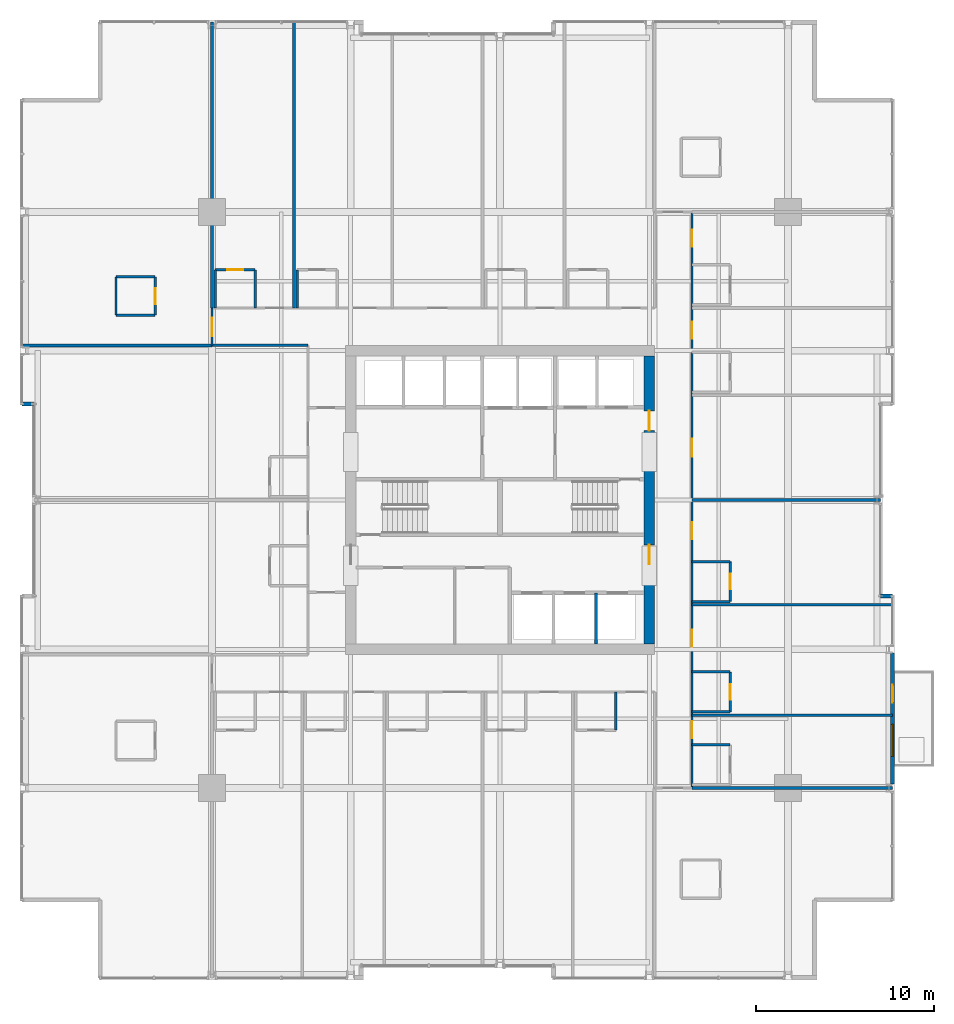
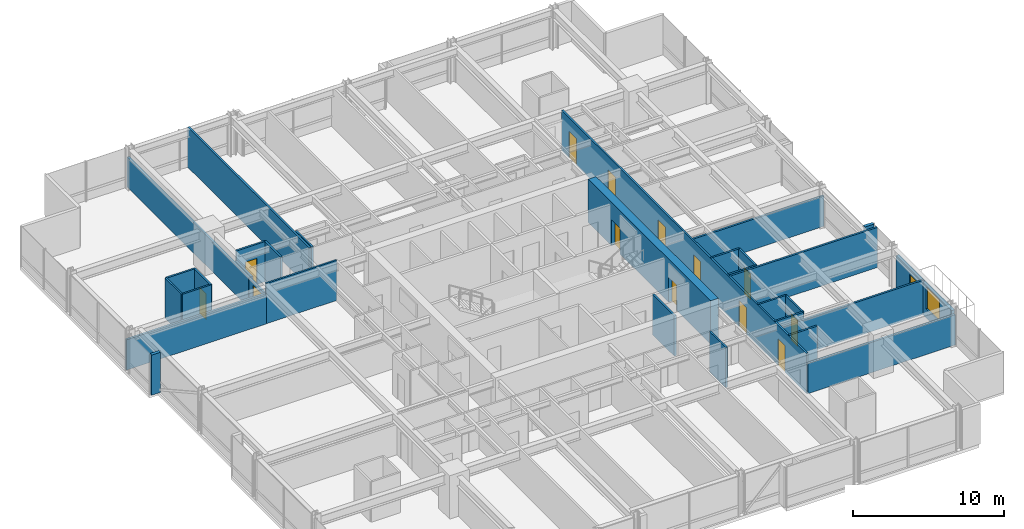
# One storey, part 30 of 35: 31 walls, 14 doors, 1 window, 15 openings.
"""IFC4 building model written with IfcOpenShell, lengths in metres."""

from ifc_helpers import new_model, si_unit, direction, frame, frame_2d, origin, place, context, subcontext, project, spatial, rectangle, extrude, material, layer, layer_set, type_object, element, fill, save


model = new_model("IFC4")

# Units and contexts
model_context = context("Model", 3, precision=1e-05, world=origin(), true_north=direction((0.0, 1.0)))
body_context = subcontext(model_context, "Body", "Model", "MODEL_VIEW")
ifc_project = project(units=[si_unit("LENGTHUNIT", "METRE"), si_unit("AREAUNIT", "SQUARE_METRE"), si_unit("VOLUMEUNIT", "CUBIC_METRE"), si_unit("PLANEANGLEUNIT", "RADIAN"), si_unit("MASSUNIT", "GRAM", prefix="KILO")], contexts=[model_context])

# Site, building, storey
site_placement = place(None, origin())
site = spatial("IfcSite", under=ifc_project, at=site_placement, CompositionType="ELEMENT")
building_placement = place(site_placement, origin())
building = spatial("IfcBuilding", under=site, at=building_placement, Name="Drelvath Grand Hotel", CompositionType="ELEMENT")
storey_placement = place(building_placement, frame((0.0, 0.0, 95.300048828125)))
storey = spatial("IfcBuildingStorey", under=building, at=storey_placement, Name="L23", CompositionType="ELEMENT", Elevation=95.300048828125)

# Walls
ifc_material_1 = material(Name="Gypsum Fireboard Partition")
ifc_layer_1 = layer(ifc_material_1, 0.1650390625)
ifc_layer_set_1 = layer_set([ifc_layer_1], Name="Gypsum Fireboard Partition")
wall_type_1 = type_object("IfcWallType", Name="Core Shaft Partition 165", PredefinedType="PARTITIONING", material=ifc_layer_set_1)
wall_1_placement = place(storey_placement, frame((5.39990234375, 18.89990234375, 0.0), z_axis=(0.0, 0.0, 1.0), x_axis=(0.0, 1.0, 0.0)))
element("IfcWall", 1, at=wall_1_placement, inside=storey, type_object=wall_type_1, Name="L23 Lift PE-5/6 Divider", PredefinedType="PARTITIONING", context=body_context, shape_type="SweptSolid", body=[
    extrude(rectangle(XDim=2.880126953125, YDim=0.1650390625, at=frame_2d((1.43994140625, 0.0))), origin(), (0.0, 0.0, 1.0), 3.239990234375),
])
ifc_layer_2 = layer(ifc_material_1, 0.135009765625)
ifc_layer_set_2 = layer_set([ifc_layer_2], Name="Gypsum Fireboard Partition")
wall_type_2 = type_object("IfcWallType", Name="Corridor Fire Barrier Wall 135", PredefinedType="PARTITIONING", material=ifc_layer_set_2)
wall_2_placement = place(storey_placement, frame((-16.199951171875, 35.699951171875, 0.0), z_axis=(0.0, 0.0, 1.0), x_axis=(1.0, 0.0, 0.0)))
element("IfcWall", 2, at=wall_2_placement, inside=storey, type_object=wall_type_2, Name="L23 NW Stub South Wall", PredefinedType="PARTITIONING", context=body_context, shape_type="SweptSolid", body=[
    extrude(rectangle(XDim=5.39990234375, YDim=0.135009765625, at=frame_2d((2.699951171875, 0.0))), origin(), (0.0, 0.0, 1.0), 3.239990234375),
])

# Wall, openings, doors
wall_3_placement = place(storey_placement, frame((10.800048828125, 10.800048828125, 0.0), z_axis=(0.0, 0.0, 1.0), x_axis=(0.0, 1.0, 0.0)))
wall_3 = element("IfcWall", 3, at=wall_3_placement, inside=storey, type_object=wall_type_2, Name="L23 East Spine Corridor Wall", PredefinedType="PARTITIONING", context=body_context, shape_type="SweptSolid", body=[
    extrude(rectangle(XDim=32.39990234375, YDim=0.135009765625, at=frame_2d((16.199951171875, 0.0))), origin(), (0.0, 0.0, 1.0), 3.239990234375),
])
opening_1_placement = place(wall_3_placement, frame((2.784912109375, 0.0, 0.0)))
opening_1 = element("IfcOpeningElement", 4, at=opening_1_placement, cuts=wall_3, Name="Opening D-T2G1-047", PredefinedType="OPENING", context=body_context, shape_type="SweptSolid", body=[
    extrude(rectangle(XDim=0.9599609375, YDim=2.14990234375, at=frame_2d((0.47998046875, 1.074951171875))), frame((0.0, 0.077392578125, 0.0), z_axis=(0.0, -1.0, 0.0), x_axis=(1.0, 0.0, 0.0)), (0.0, 0.0, 1.0), 0.155029296875),
])
opening_2_placement = place(wall_3_placement, frame((7.939453125, 0.0, 0.0)))
opening_2 = element("IfcOpeningElement", 5, at=opening_2_placement, cuts=wall_3, Name="Opening D-T2G1-049", PredefinedType="OPENING", context=body_context, shape_type="SweptSolid", body=[
    extrude(rectangle(XDim=0.9599609375, YDim=2.14990234375, at=frame_2d((0.47998046875, 1.074951171875))), frame((0.0, 0.077392578125, 0.0), z_axis=(0.0, -1.0, 0.0), x_axis=(1.0, 0.0, 0.0)), (0.0, 0.0, 1.0), 0.155029296875),
])
opening_3_placement = place(wall_3_placement, frame((13.989501953125, 0.0, 0.0)))
opening_3 = element("IfcOpeningElement", 6, at=opening_3_placement, cuts=wall_3, Name="Opening D-T2G1-051", PredefinedType="OPENING", context=body_context, shape_type="SweptSolid", body=[
    extrude(rectangle(XDim=0.9599609375, YDim=2.14990234375, at=frame_2d((0.47998046875, 1.074951171875))), frame((0.0, 0.077392578125, 0.0), z_axis=(0.0, -1.0, 0.0), x_axis=(1.0, 0.0, 0.0)), (0.0, 0.0, 1.0), 0.155029296875),
])
opening_4_placement = place(wall_3_placement, frame((18.635498046875, 0.0, 0.0)))
opening_4 = element("IfcOpeningElement", 7, at=opening_4_placement, cuts=wall_3, Name="Opening D-T2G1-052", PredefinedType="OPENING", context=body_context, shape_type="SweptSolid", body=[
    extrude(rectangle(XDim=1.02001953125, YDim=2.14990234375, at=frame_2d((0.510009765625, 1.074951171875))), frame((0.0, 0.077392578125, 0.0), z_axis=(0.0, -1.0, 0.0), x_axis=(1.0, 0.0, 0.0)), (0.0, 0.0, 1.0), 0.155029296875),
])
opening_5_placement = place(wall_3_placement, frame((25.280517578125, 0.0, 0.0)))
opening_5 = element("IfcOpeningElement", 8, at=opening_5_placement, cuts=wall_3, Name="Opening D-T2G1-054", PredefinedType="OPENING", context=body_context, shape_type="SweptSolid", body=[
    extrude(rectangle(XDim=0.9599609375, YDim=2.14990234375, at=frame_2d((0.47998046875, 1.074951171875))), frame((0.0, 0.077392578125, 0.0), z_axis=(0.0, -1.0, 0.0), x_axis=(1.0, 0.0, 0.0)), (0.0, 0.0, 1.0), 0.155029296875),
])
opening_6_placement = place(wall_3_placement, frame((30.43505859375, 0.0, 0.0)))
opening_6 = element("IfcOpeningElement", 9, at=opening_6_placement, cuts=wall_3, Name="Opening D-T2G1-056", PredefinedType="OPENING", context=body_context, shape_type="SweptSolid", body=[
    extrude(rectangle(XDim=0.9599609375, YDim=2.14990234375, at=frame_2d((0.47998046875, 1.074951171875))), frame((0.0, 0.077392578125, 0.0), z_axis=(0.0, -1.0, 0.0), x_axis=(1.0, 0.0, 0.0)), (0.0, 0.0, 1.0), 0.155029296875),
])
ifc_material_2 = material(Name="Hardwood Walnut Timber", Category="wood")
door_type_1 = type_object("IfcDoorType", Name="Amenity Meeting Fire Door 1020x2150", OperationType="NOTDEFINED", PredefinedType="DOOR", material=ifc_material_2)
door_1_placement = place(opening_4_placement, origin())
door_1 = element("IfcDoor", 10, at=door_1_placement, inside=storey, type_object=door_type_1, Name="L23 Executive Workroom Entry Door", OperationType="SINGLE_SWING_LEFT", OverallHeight=2.14990234375, OverallWidth=1.02001953125, PredefinedType="DOOR", context=body_context, shape_type="SweptSolid", body=[
    extrude(rectangle(XDim=1.02001953125, YDim=2.14990234375, at=frame_2d((0.510009765625, 1.074951171875))), frame((0.0, 0.02490234375, 0.0), z_axis=(0.0, -1.0, 0.0), x_axis=(1.0, 0.0, 0.0)), (0.0, 0.0, 1.0), 0.050048828125),
])
fill(opening_4, door_1)
door_type_2 = type_object("IfcDoorType", Name="Guestroom Entrance Fire Door 960x2150", OperationType="NOTDEFINED", PredefinedType="DOOR", material=ifc_material_2)
door_2_placement = place(opening_1_placement, origin())
door_2 = element("IfcDoor", 11, at=door_2_placement, inside=storey, type_object=door_type_2, Name="L23 Deluxe Guest Room Entry Door", OperationType="SINGLE_SWING_RIGHT", OverallHeight=2.14990234375, OverallWidth=0.9599609375, PredefinedType="DOOR", context=body_context, shape_type="SweptSolid", body=[
    extrude(rectangle(XDim=0.9599609375, YDim=2.14990234375, at=frame_2d((0.47998046875, 1.074951171875))), frame((0.0, 0.02490234375, 0.0), z_axis=(0.0, -1.0, 0.0), x_axis=(1.0, 0.0, 0.0)), (0.0, 0.0, 1.0), 0.050048828125),
])
fill(opening_1, door_2)
door_3_placement = place(opening_2_placement, origin())
door_3 = element("IfcDoor", 12, at=door_3_placement, inside=storey, type_object=door_type_2, Name="L23 Deluxe Guest Room Entry Door", OperationType="SINGLE_SWING_RIGHT", OverallHeight=2.14990234375, OverallWidth=0.9599609375, PredefinedType="DOOR", context=body_context, shape_type="SweptSolid", body=[
    extrude(rectangle(XDim=0.9599609375, YDim=2.14990234375, at=frame_2d((0.47998046875, 1.074951171875))), frame((0.0, 0.02490234375, 0.0), z_axis=(0.0, -1.0, 0.0), x_axis=(1.0, 0.0, 0.0)), (0.0, 0.0, 1.0), 0.050048828125),
])
fill(opening_2, door_3)
door_4_placement = place(opening_3_placement, origin())
door_4 = element("IfcDoor", 13, at=door_4_placement, inside=storey, type_object=door_type_2, Name="L23 Deluxe Guest Room Entry Door", OperationType="SINGLE_SWING_RIGHT", OverallHeight=2.14990234375, OverallWidth=0.9599609375, PredefinedType="DOOR", context=body_context, shape_type="SweptSolid", body=[
    extrude(rectangle(XDim=0.9599609375, YDim=2.14990234375, at=frame_2d((0.47998046875, 1.074951171875))), frame((0.0, 0.02490234375, 0.0), z_axis=(0.0, -1.0, 0.0), x_axis=(1.0, 0.0, 0.0)), (0.0, 0.0, 1.0), 0.050048828125),
])
fill(opening_3, door_4)
door_5_placement = place(opening_5_placement, origin())
door_5 = element("IfcDoor", 14, at=door_5_placement, inside=storey, type_object=door_type_2, Name="L23 Deluxe Guest Room Entry Door", OperationType="SINGLE_SWING_LEFT", OverallHeight=2.14990234375, OverallWidth=0.9599609375, PredefinedType="DOOR", context=body_context, shape_type="SweptSolid", body=[
    extrude(rectangle(XDim=0.9599609375, YDim=2.14990234375, at=frame_2d((0.47998046875, 1.074951171875))), frame((0.0, 0.02490234375, 0.0), z_axis=(0.0, -1.0, 0.0), x_axis=(1.0, 0.0, 0.0)), (0.0, 0.0, 1.0), 0.050048828125),
])
fill(opening_5, door_5)
door_6_placement = place(opening_6_placement, origin())
door_6 = element("IfcDoor", 15, at=door_6_placement, inside=storey, type_object=door_type_2, Name="L23 Deluxe Guest Room Entry Door", OperationType="SINGLE_SWING_LEFT", OverallHeight=2.14990234375, OverallWidth=0.9599609375, PredefinedType="DOOR", context=body_context, shape_type="SweptSolid", body=[
    extrude(rectangle(XDim=0.9599609375, YDim=2.14990234375, at=frame_2d((0.47998046875, 1.074951171875))), frame((0.0, 0.02490234375, 0.0), z_axis=(0.0, -1.0, 0.0), x_axis=(1.0, 0.0, 0.0)), (0.0, 0.0, 1.0), 0.050048828125),
])
fill(opening_6, door_6)

# Wall, opening, door
wall_4_placement = place(storey_placement, frame((-16.199951171875, 35.699951171875, 0.0), z_axis=(0.0, 0.0, 1.0), x_axis=(0.0, 1.0, 0.0)))
wall_4 = element("IfcWall", 16, at=wall_4_placement, inside=storey, type_object=wall_type_2, Name="L23 North Stub West End", PredefinedType="PARTITIONING", context=body_context, shape_type="SweptSolid", body=[
    extrude(rectangle(XDim=2.10009765625, YDim=0.135009765625, at=frame_2d((1.050048828125, 0.0))), origin(), (0.0, 0.0, 1.0), 2.45166015625),
])
opening_7_placement = place(wall_4_placement, frame((0.52001953125, 0.0, 0.0)))
opening_7 = element("IfcOpeningElement", 17, at=opening_7_placement, cuts=wall_4, Name="Opening D-T2G1-022", PredefinedType="OPENING", context=body_context, shape_type="SweptSolid", body=[
    extrude(rectangle(XDim=1.02001953125, YDim=2.14990234375, at=frame_2d((0.510009765625, 1.074951171875))), frame((0.0, 0.077392578125, 0.0), z_axis=(0.0, -1.0, 0.0), x_axis=(1.0, 0.0, 0.0)), (0.0, 0.0, 1.0), 0.155029296875),
])
door_7_placement = place(opening_7_placement, origin())
door_7 = element("IfcDoor", 18, at=door_7_placement, inside=storey, type_object=door_type_1, Name="L23 Corner Suite Entry Door", OperationType="SINGLE_SWING_LEFT", OverallHeight=2.14990234375, OverallWidth=1.02001953125, PredefinedType="DOOR", context=body_context, shape_type="SweptSolid", body=[
    extrude(rectangle(XDim=1.02001953125, YDim=2.14990234375, at=frame_2d((0.510009765625, 1.074951171875))), frame((0.0, 0.02490234375, 0.0), z_axis=(0.0, -1.0, 0.0), x_axis=(1.0, 0.0, 0.0)), (0.0, 0.0, 1.0), 0.050048828125),
])
fill(opening_7, door_7)

# Walls
ifc_material_3 = material(Name="Moisture-Resistant Gypsum Board")
ifc_layer_3 = layer(ifc_material_3, 0.139892578125)
ifc_layer_set_3 = layer_set([ifc_layer_3], Name="Moisture-Resistant Gypsum Board")
wall_type_3 = type_object("IfcWallType", Name="En-Suite Plumbing Wall 140", PredefinedType="PLUMBINGWALL", material=ifc_layer_set_3)
for number, where, z_axis, x_axis, name in (
    (19, (-21.60009765625, 37.39990234375, 0.0), (0.0, 0.0, 1.0), (1.0, 0.0, 0.0), "L23 Corner En-Suite South"),
    (20, (-21.60009765625, 39.550048828125, 0.0), (0.0, 0.0, 1.0), (1.0, 0.0, 0.0), "L23 Corner En-Suite North"),
):
    element("IfcWall", number, at=place(storey_placement, frame(where, z_axis=z_axis, x_axis=x_axis)), inside=storey, type_object=wall_type_3, Name=name, PredefinedType="PLUMBINGWALL", context=body_context, shape_type="SweptSolid", body=[
        extrude(rectangle(XDim=2.2001953125, YDim=0.139892578125, at=frame_2d((1.10009765625, 0.0))), origin(), (0.0, 0.0, 1.0), 3.239990234375),
    ])
wall_5_placement = place(storey_placement, frame((-21.60009765625, 37.39990234375, 0.0), z_axis=(0.0, 0.0, 1.0), x_axis=(0.0, 1.0, 0.0)))
element("IfcWall", 21, at=wall_5_placement, inside=storey, type_object=wall_type_3, Name="L23 Corner En-Suite West", PredefinedType="PLUMBINGWALL", context=body_context, shape_type="SweptSolid", body=[
    extrude(rectangle(XDim=2.150146484375, YDim=0.139892578125, at=frame_2d((1.0751953125, 0.0))), origin(), (0.0, 0.0, 1.0), 3.239990234375),
])

# Wall, opening, door
wall_6_placement = place(storey_placement, frame((-19.39990234375, 37.39990234375, 0.0), z_axis=(0.0, 0.0, 1.0), x_axis=(0.0, 1.0, 0.0)))
wall_6 = element("IfcWall", 22, at=wall_6_placement, inside=storey, type_object=wall_type_3, Name="L23 Corner En-Suite East", PredefinedType="PLUMBINGWALL", context=body_context, shape_type="SweptSolid", body=[
    extrude(rectangle(XDim=2.150146484375, YDim=0.139892578125, at=frame_2d((1.0751953125, 0.0))), origin(), (0.0, 0.0, 1.0), 3.239990234375),
])
opening_8_placement = place(wall_6_placement, frame((0.6201171875, 0.0, 0.0)))
opening_8 = element("IfcOpeningElement", 23, at=opening_8_placement, cuts=wall_6, Name="Opening D-T2G1-021", PredefinedType="OPENING", context=body_context, shape_type="SweptSolid", body=[
    extrude(rectangle(XDim=0.8798828125, YDim=2.10009765625, at=frame_2d((0.43994140625, 1.050048828125))), frame((0.0, 0.079833984375, 0.0), z_axis=(0.0, -1.0, 0.0), x_axis=(1.0, 0.0, 0.0)), (0.0, 0.0, 1.0), 0.159912109375),
])
door_type_3 = type_object("IfcDoorType", Name="En-Suite Bathroom Door 880x2100", OperationType="NOTDEFINED", PredefinedType="DOOR", material=ifc_material_2)
door_8_placement = place(opening_8_placement, origin())
door_8 = element("IfcDoor", 24, at=door_8_placement, inside=storey, type_object=door_type_3, Name="L23 Corner En-Suite Door", OperationType="SINGLE_SWING_RIGHT", OverallHeight=2.10009765625, OverallWidth=0.8798828125, PredefinedType="DOOR", context=body_context, shape_type="SweptSolid", body=[
    extrude(rectangle(XDim=0.8798828125, YDim=2.10009765625, at=frame_2d((0.43994140625, 1.050048828125))), frame((0.0, 0.02490234375, 0.0), z_axis=(0.0, -1.0, 0.0), x_axis=(1.0, 0.0, 0.0)), (0.0, 0.0, 1.0), 0.050048828125),
])
fill(opening_8, door_8)

# Walls
wall_7_placement = place(storey_placement, frame((6.518798828125, 16.199951171875, 0.0), z_axis=(0.0, 0.0, 1.0), x_axis=(0.0, -1.0, 0.0)))
element("IfcWall", 25, at=wall_7_placement, inside=storey, type_object=wall_type_3, Name="L23 En-Suite Right Wall", PredefinedType="PLUMBINGWALL", context=body_context, shape_type="SweptSolid", body=[
    extrude(rectangle(XDim=2.14990234375, YDim=0.139892578125, at=frame_2d((1.074951171875, 0.0))), origin(), (0.0, 0.0, 1.0), 3.239990234375),
])
wall_8_placement = place(storey_placement, frame((-16.02001953125, 37.800048828125, 0.0), z_axis=(0.0, 0.0, 1.0), x_axis=(0.0, 1.0, 0.0)))
element("IfcWall", 26, at=wall_8_placement, inside=storey, type_object=wall_type_3, Name="L23 En-Suite Left Wall", PredefinedType="PLUMBINGWALL", context=body_context, shape_type="SweptSolid", body=[
    extrude(rectangle(XDim=2.14990234375, YDim=0.139892578125, at=frame_2d((1.074951171875, 0.0))), origin(), (0.0, 0.0, 1.0), 2.45166015625),
])
wall_9_placement = place(storey_placement, frame((-13.77001953125, 37.800048828125, 0.0), z_axis=(0.0, 0.0, 1.0), x_axis=(0.0, 1.0, 0.0)))
element("IfcWall", 27, at=wall_9_placement, inside=storey, type_object=wall_type_3, Name="L23 En-Suite Right Wall", PredefinedType="PLUMBINGWALL", context=body_context, shape_type="SweptSolid", body=[
    extrude(rectangle(XDim=2.14990234375, YDim=0.139892578125, at=frame_2d((1.074951171875, 0.0))), origin(), (0.0, 0.0, 1.0), 3.239990234375),
])

# Wall, opening, door
wall_10_placement = place(storey_placement, frame((-16.02001953125, 39.949951171875, 0.0), z_axis=(0.0, 0.0, 1.0), x_axis=(1.0, 0.0, 0.0)))
wall_10 = element("IfcWall", 28, at=wall_10_placement, inside=storey, type_object=wall_type_3, Name="L23 En-Suite Front Wall", PredefinedType="PLUMBINGWALL", context=body_context, shape_type="SweptSolid", body=[
    extrude(rectangle(XDim=2.25, YDim=0.139892578125, at=frame_2d((1.125, 0.0))), origin(), (0.0, 0.0, 1.0), 3.239990234375),
])
opening_9_placement = place(wall_10_placement, frame((0.68505859375, 0.0, 0.0)))
opening_9 = element("IfcOpeningElement", 29, at=opening_9_placement, cuts=wall_10, Name="Opening D-T2G1-037", PredefinedType="OPENING", context=body_context, shape_type="SweptSolid", body=[
    extrude(rectangle(XDim=0.8798828125, YDim=2.10009765625, at=frame_2d((0.43994140625, 1.050048828125))), frame((0.0, 0.079833984375, 0.0), z_axis=(0.0, -1.0, 0.0), x_axis=(1.0, 0.0, 0.0)), (0.0, 0.0, 1.0), 0.159912109375),
])
door_9_placement = place(opening_9_placement, origin())
door_9 = element("IfcDoor", 30, at=door_9_placement, inside=storey, type_object=door_type_3, Name="L23 En-Suite Bathroom Door", OperationType="SINGLE_SWING_RIGHT", OverallHeight=2.10009765625, OverallWidth=0.8798828125, PredefinedType="DOOR", context=body_context, shape_type="SweptSolid", body=[
    extrude(rectangle(XDim=0.8798828125, YDim=2.10009765625, at=frame_2d((0.43994140625, 1.050048828125))), frame((0.0, 0.02490234375, 0.0), z_axis=(0.0, -1.0, 0.0), x_axis=(1.0, 0.0, 0.0)), (0.0, 0.0, 1.0), 0.050048828125),
])
fill(opening_9, door_9)

# Walls
for number, where, z_axis, x_axis, name in (
    (31, (-11.408935546875, 37.800048828125, 0.0), (0.0, 0.0, 1.0), (0.0, 1.0, 0.0), "L23 En-Suite Left Wall"),
    (32, (10.800048828125, 13.22998046875, 0.0), (0.0, 0.0, 1.0), (1.0, 0.0, 0.0), "L23 En-Suite Right Wall"),
    (33, (10.800048828125, 15.080078125, 0.0), (0.0, 0.0, 1.0), (1.0, 0.0, 0.0), "L23 En-Suite Left Wall"),
    (34, (10.800048828125, 17.330078125, 0.0), (0.0, 0.0, 1.0), (1.0, 0.0, 0.0), "L23 En-Suite Right Wall"),
):
    element("IfcWall", number, at=place(storey_placement, frame(where, z_axis=z_axis, x_axis=x_axis)), inside=storey, type_object=wall_type_3, Name=name, PredefinedType="PLUMBINGWALL", context=body_context, shape_type="SweptSolid", body=[
        extrude(rectangle(XDim=2.14990234375, YDim=0.139892578125, at=frame_2d((1.074951171875, 0.0))), origin(), (0.0, 0.0, 1.0), 3.239990234375),
    ])

# Wall, opening, door
wall_11_placement = place(storey_placement, frame((12.949951171875, 15.080078125, 0.0), z_axis=(0.0, 0.0, 1.0), x_axis=(0.0, 1.0, 0.0)))
wall_11 = element("IfcWall", 35, at=wall_11_placement, inside=storey, type_object=wall_type_3, Name="L23 En-Suite Front Wall", PredefinedType="PLUMBINGWALL", context=body_context, shape_type="SweptSolid", body=[
    extrude(rectangle(XDim=2.25, YDim=0.139892578125, at=frame_2d((1.125, 0.0))), origin(), (0.0, 0.0, 1.0), 3.239990234375),
])
opening_10_placement = place(wall_11_placement, frame((0.68505859375, 0.0, 0.0)))
opening_10 = element("IfcOpeningElement", 36, at=opening_10_placement, cuts=wall_11, Name="Opening D-T2G1-048", PredefinedType="OPENING", context=body_context, shape_type="SweptSolid", body=[
    extrude(rectangle(XDim=0.8798828125, YDim=2.10009765625, at=frame_2d((0.43994140625, 1.050048828125))), frame((0.0, 0.079833984375, 0.0), z_axis=(0.0, -1.0, 0.0), x_axis=(1.0, 0.0, 0.0)), (0.0, 0.0, 1.0), 0.159912109375),
])
door_10_placement = place(opening_10_placement, origin())
door_10 = element("IfcDoor", 37, at=door_10_placement, inside=storey, type_object=door_type_3, Name="L23 En-Suite Bathroom Door", OperationType="SINGLE_SWING_LEFT", OverallHeight=2.10009765625, OverallWidth=0.8798828125, PredefinedType="DOOR", context=body_context, shape_type="SweptSolid", body=[
    extrude(rectangle(XDim=0.8798828125, YDim=2.10009765625, at=frame_2d((0.43994140625, 1.050048828125))), frame((0.0, 0.02490234375, 0.0), z_axis=(0.0, -1.0, 0.0), x_axis=(1.0, 0.0, 0.0)), (0.0, 0.0, 1.0), 0.050048828125),
])
fill(opening_10, door_10)

# Walls
for number, where, z_axis, x_axis, name in (
    (38, (10.800048828125, 21.2890625, 0.0), (0.0, 0.0, 1.0), (1.0, 0.0, 0.0), "L23 En-Suite Left Wall"),
    (39, (10.800048828125, 23.5390625, 0.0), (0.0, 0.0, 1.0), (1.0, 0.0, 0.0), "L23 En-Suite Right Wall"),
):
    element("IfcWall", number, at=place(storey_placement, frame(where, z_axis=z_axis, x_axis=x_axis)), inside=storey, type_object=wall_type_3, Name=name, PredefinedType="PLUMBINGWALL", context=body_context, shape_type="SweptSolid", body=[
        extrude(rectangle(XDim=2.14990234375, YDim=0.139892578125, at=frame_2d((1.074951171875, 0.0))), origin(), (0.0, 0.0, 1.0), 3.239990234375),
    ])

# Wall, opening, door
wall_12_placement = place(storey_placement, frame((12.949951171875, 21.2890625, 0.0), z_axis=(0.0, 0.0, 1.0), x_axis=(0.0, 1.0, 0.0)))
wall_12 = element("IfcWall", 40, at=wall_12_placement, inside=storey, type_object=wall_type_3, Name="L23 En-Suite Front Wall", PredefinedType="PLUMBINGWALL", context=body_context, shape_type="SweptSolid", body=[
    extrude(rectangle(XDim=2.25, YDim=0.139892578125, at=frame_2d((1.125, 0.0))), origin(), (0.0, 0.0, 1.0), 3.239990234375),
])
opening_11_placement = place(wall_12_placement, frame((0.68505859375, 0.0, 0.0)))
opening_11 = element("IfcOpeningElement", 41, at=opening_11_placement, cuts=wall_12, Name="Opening D-T2G1-050", PredefinedType="OPENING", context=body_context, shape_type="SweptSolid", body=[
    extrude(rectangle(XDim=0.8798828125, YDim=2.10009765625, at=frame_2d((0.43994140625, 1.050048828125))), frame((0.0, 0.079833984375, 0.0), z_axis=(0.0, -1.0, 0.0), x_axis=(1.0, 0.0, 0.0)), (0.0, 0.0, 1.0), 0.159912109375),
])
door_11_placement = place(opening_11_placement, origin())
door_11 = element("IfcDoor", 42, at=door_11_placement, inside=storey, type_object=door_type_3, Name="L23 En-Suite Bathroom Door", OperationType="SINGLE_SWING_LEFT", OverallHeight=2.10009765625, OverallWidth=0.8798828125, PredefinedType="DOOR", context=body_context, shape_type="SweptSolid", body=[
    extrude(rectangle(XDim=0.8798828125, YDim=2.10009765625, at=frame_2d((0.43994140625, 1.050048828125))), frame((0.0, 0.02490234375, 0.0), z_axis=(0.0, -1.0, 0.0), x_axis=(1.0, 0.0, 0.0)), (0.0, 0.0, 1.0), 0.050048828125),
])
fill(opening_11, door_11)

# Walls
ifc_material_4 = material(Name="Gypsum Acoustic Partition")
ifc_layer_4 = layer(ifc_material_4, 0.14990234375)
ifc_layer_set_4 = layer_set([ifc_layer_4], Name="Gypsum Acoustic Partition")
wall_type_4 = type_object("IfcWallType", Name="Guestroom Demising Wall 150", PredefinedType="PARTITIONING", material=ifc_layer_set_4)
wall_13_placement = place(storey_placement, frame((-11.5888671875, 37.800048828125, 0.0), z_axis=(0.0, 0.0, 1.0), x_axis=(0.0, 1.0, 0.0)))
element("IfcWall", 43, at=wall_13_placement, inside=storey, type_object=wall_type_4, Name="L23 North Demising 1", PredefinedType="PARTITIONING", context=body_context, shape_type="SweptSolid", body=[
    extrude(rectangle(XDim=16.079833984375, YDim=0.14990234375, at=frame_2d((8.0400390625, 0.0))), origin(), (0.0, 0.0, 1.0), 3.239990234375),
])
wall_14_placement = place(storey_placement, frame((10.800048828125, 14.89990234375, 0.0), z_axis=(0.0, 0.0, 1.0), x_axis=(1.0, 0.0, 0.0)))
element("IfcWall", 44, at=wall_14_placement, inside=storey, type_object=wall_type_4, Name="L23 East Demising 1", PredefinedType="PARTITIONING", context=body_context, shape_type="SweptSolid", body=[
    extrude(rectangle(XDim=11.280029296875, YDim=0.14990234375, at=frame_2d((5.64013671875, 0.0))), origin(), (0.0, 0.0, 1.0), 2.764892578125),
])
wall_15_placement = place(storey_placement, frame((10.800048828125, 21.109130859375, 0.0), z_axis=(0.0, 0.0, 1.0), x_axis=(1.0, 0.0, 0.0)))
element("IfcWall", 45, at=wall_15_placement, inside=storey, type_object=wall_type_4, Name="L23 East Demising 2", PredefinedType="PARTITIONING", context=body_context, shape_type="SweptSolid", body=[
    extrude(rectangle(XDim=11.280029296875, YDim=0.14990234375, at=frame_2d((5.64013671875, 0.0))), origin(), (0.0, 0.0, 1.0), 3.239990234375),
])
wall_16_placement = place(storey_placement, frame((10.800048828125, 27.0, 0.0), z_axis=(0.0, 0.0, 1.0), x_axis=(1.0, 0.0, 0.0)))
element("IfcWall", 46, at=wall_16_placement, inside=storey, type_object=wall_type_4, Name="L23 East Demising 3", PredefinedType="PARTITIONING", context=body_context, shape_type="SweptSolid", body=[
    extrude(rectangle(XDim=10.599853515625, YDim=0.14990234375, at=frame_2d((5.2998046875, 0.0))), origin(), (0.0, 0.0, 1.0), 2.45166015625),
])

# Wall, openings, doors
ifc_material_5 = material(Name="Concrete f'c 70 MPa", Category="concrete")
ifc_layer_5 = layer(ifc_material_5, 0.60009765625)
ifc_layer_set_5 = layer_set([ifc_layer_5], Name="Concrete f'c 70 MPa")
wall_type_5 = type_object("IfcWallType", Name="Lower Core RC Shear Wall 600", PredefinedType="SHEAR", material=ifc_layer_set_5)
wall_17_placement = place(storey_placement, frame((8.39990234375, 35.10009765625, 0.0), z_axis=(0.0, 0.0, 1.0), x_axis=(0.0, -1.0, 0.0)))
wall_17 = element("IfcWall", 47, at=wall_17_placement, inside=storey, type_object=wall_type_5, Name="L23 Central Core Shear Wall E", PredefinedType="SHEAR", context=body_context, shape_type="SweptSolid", body=[
    extrude(rectangle(XDim=16.2001953125, YDim=0.60009765625, at=frame_2d((8.10009765625, 0.0))), origin(), (0.0, 0.0, 1.0), 3.5),
])
opening_12_placement = place(wall_17_placement, frame((3.080078125, 0.0, 0.0)))
opening_12 = element("IfcOpeningElement", 48, at=opening_12_placement, cuts=wall_17, Name="Opening D-T2G1-006", PredefinedType="OPENING", context=body_context, shape_type="SweptSolid", body=[
    extrude(rectangle(XDim=1.1201171875, YDim=2.10009765625, at=frame_2d((0.56005859375, 1.050048828125))), frame((0.0, 0.31005859375, 0.0), z_axis=(0.0, -1.0, 0.0), x_axis=(1.0, 0.0, 0.0)), (0.0, 0.0, 1.0), 0.6201171875),
])
opening_13_placement = place(wall_17_placement, frame((10.6201171875, 0.0, 0.0)))
opening_13 = element("IfcOpeningElement", 49, at=opening_13_placement, cuts=wall_17, Name="Opening D-T2G1-014", PredefinedType="OPENING", context=body_context, shape_type="SweptSolid", body=[
    extrude(rectangle(XDim=1.080078125, YDim=2.0400390625, at=frame_2d((0.5400390625, 1.02001953125))), frame((0.0, 0.31005859375, 0.0), z_axis=(0.0, -1.0, 0.0), x_axis=(1.0, 0.0, 0.0)), (0.0, 0.0, 1.0), 0.6201171875),
])
ifc_material_6 = material(Name="Painted Steel S275", Category="steel")
door_type_4 = type_object("IfcDoorType", Name="Core Corridor Fire Door 1080x2100", OperationType="NOTDEFINED", PredefinedType="DOOR", material=ifc_material_6)
door_12_placement = place(opening_13_placement, origin())
door_12 = element("IfcDoor", 50, at=door_12_placement, inside=storey, type_object=door_type_4, Name="L23 Mid-Rise Lobby East Door", OperationType="SINGLE_SWING_LEFT", OverallHeight=2.0400390625, OverallWidth=1.080078125, PredefinedType="DOOR", context=body_context, shape_type="SweptSolid", body=[
    extrude(rectangle(XDim=1.080078125, YDim=2.0400390625, at=frame_2d((0.5400390625, 1.02001953125))), frame((0.0, 0.02490234375, 0.0), z_axis=(0.0, -1.0, 0.0), x_axis=(1.0, 0.0, 0.0)), (0.0, 0.0, 1.0), 0.050048828125),
])
fill(opening_13, door_12)
door_type_5 = type_object("IfcDoorType", Name="FSAE Smoke Lobby Fire Door 1120x2100", OperationType="NOTDEFINED", PredefinedType="DOOR", material=ifc_material_6)
door_13_placement = place(opening_12_placement, origin())
door_13 = element("IfcDoor", 51, at=door_13_placement, inside=storey, type_object=door_type_5, Name="L23 FSAE Lobby East Corridor Door", OperationType="SINGLE_SWING_LEFT", OverallHeight=2.10009765625, OverallWidth=1.1201171875, PredefinedType="DOOR", context=body_context, shape_type="SweptSolid", body=[
    extrude(rectangle(XDim=1.1201171875, YDim=2.10009765625, at=frame_2d((0.56005859375, 1.050048828125))), frame((0.0, 0.02490234375, 0.0), z_axis=(0.0, -1.0, 0.0), x_axis=(1.0, 0.0, 0.0)), (0.0, 0.0, 1.0), 0.050048828125),
])
fill(opening_12, door_13)

# Walls
ifc_layer_6 = layer(ifc_material_4, 0.1650390625)
ifc_layer_set_6 = layer_set([ifc_layer_6], Name="Gypsum Acoustic Partition")
wall_type_6 = type_object("IfcWallType", Name="Suite Demising Wall 165", PredefinedType="PARTITIONING", material=ifc_layer_set_6)
wall_18_placement = place(storey_placement, frame((-16.199951171875, 37.800048828125, 0.0), z_axis=(0.0, 0.0, 1.0), x_axis=(0.0, 1.0, 0.0)))
element("IfcWall", 52, at=wall_18_placement, inside=storey, type_object=wall_type_6, Name="L23 NW Suite East Wall", PredefinedType="PARTITIONING", context=body_context, shape_type="SweptSolid", body=[
    extrude(rectangle(XDim=16.079833984375, YDim=0.1650390625, at=frame_2d((8.0400390625, 0.0))), origin(), (0.0, 0.0, 1.0), 2.45166015625),
])
wall_19_placement = place(storey_placement, frame((10.800048828125, 10.800048828125, 0.0), z_axis=(0.0, 0.0, 1.0), x_axis=(1.0, 0.0, 0.0)))
element("IfcWall", 53, at=wall_19_placement, inside=storey, type_object=wall_type_6, Name="L23 SE Suite North Wall", PredefinedType="PARTITIONING", context=body_context, shape_type="SweptSolid", body=[
    extrude(rectangle(XDim=11.280029296875, YDim=0.1650390625, at=frame_2d((5.64013671875, 0.0))), origin(), (0.0, 0.0, 1.0), 2.45166015625),
])
wall_20_placement = place(storey_placement, frame((-26.8798828125, 35.699951171875, 0.0), z_axis=(0.0, 0.0, 1.0), x_axis=(1.0, 0.0, 0.0)))
element("IfcWall", 54, at=wall_20_placement, inside=storey, type_object=wall_type_6, Name="L23 NW Suite South Wall", PredefinedType="PARTITIONING", context=body_context, shape_type="SweptSolid", body=[
    extrude(rectangle(XDim=10.679931640625, YDim=0.1650390625, at=frame_2d((5.33984375, 0.0))), origin(), (0.0, 0.0, 1.0), 2.45166015625),
])

# Wall, openings, window, door
ifc_material_7 = material(Name="Pale-Metal Insulated Aluminium Spandrel Assembly", Category="aluminium")
ifc_layer_7 = layer(ifc_material_7, 0.239990234375)
ifc_layer_set_7 = layer_set([ifc_layer_7], Name="Pale-Metal Insulated Aluminium Spandrel Assembly")
wall_type_7 = type_object("IfcWallType", Name="Tower Insulated Metal Spandrel Closure Wall 240", PredefinedType="STANDARD", material=ifc_layer_set_7)
wall_21_placement = place(storey_placement, frame((22.080078125, 18.38037109375, 0.0), z_axis=(0.0, 0.0, 1.0), x_axis=(0.0, -1.0, 0.0)))
wall_21 = element("IfcWall", 55, at=wall_21_placement, inside=storey, type_object=wall_type_7, Name="L23 Exterior Terrace Door Bay Wall ES2", PredefinedType="STANDARD", context=body_context, shape_type="SweptSolid", body=[
    extrude(rectangle(XDim=7.36083984375, YDim=0.239990234375, at=frame_2d((3.680419921875, 0.0))), origin(), (0.0, 0.0, 1.0), 2.62890625),
])
opening_14_placement = place(wall_21_placement, frame((1.780517578125, 0.0, 0.0)))
opening_14 = element("IfcOpeningElement", 56, at=opening_14_placement, cuts=wall_21, Name="Opening TD-1000", PredefinedType="OPENING", context=body_context, shape_type="SweptSolid", body=[
    extrude(rectangle(XDim=1.0, YDim=2.199951171875, at=frame_2d((0.5, 1.10009765625))), frame((0.0, 0.1298828125, 0.0), z_axis=(0.0, -1.0, 0.0), x_axis=(1.0, 0.0, 0.0)), (0.0, 0.0, 1.0), 0.260009765625),
])
opening_15_placement = place(wall_21_placement, frame((3.99658203125, 0.0, 0.75)))
opening_15 = element("IfcOpeningElement", 57, at=opening_15_placement, cuts=wall_21, Name="Opening W-02", PredefinedType="OPENING", context=body_context, shape_type="SweptSolid", body=[
    extrude(rectangle(XDim=1.800048828125, YDim=1.779052734375, at=frame_2d((0.89990234375, 0.8896484375))), frame((0.0, 0.1298828125, 0.0), z_axis=(0.0, -1.0, 0.0), x_axis=(1.0, 0.0, 0.0)), (0.0, 0.0, 1.0), 0.260009765625),
])
ifc_material_8 = material(Name="Bronze Anodised Low-E Triple Glazing", Category="glass")
window_type = type_object("IfcWindowType", Name="Chicago Double-Pane Podium Window 1800x2400", PartitioningType="DOUBLE_PANEL_VERTICAL", PredefinedType="WINDOW", material=ifc_material_8)
window_placement = place(opening_15_placement, origin())
window = element("IfcWindow", 58, at=window_placement, inside=storey, type_object=window_type, Name="L23 Terrace Bay Companion Window ES2", OverallHeight=1.779052734375, OverallWidth=1.800048828125, PartitioningType="SINGLE_PANEL", PredefinedType="WINDOW", context=body_context, shape_type="SweptSolid", body=[
    extrude(rectangle(XDim=1.800048828125, YDim=1.779052734375, at=frame_2d((0.89990234375, 0.8896484375))), frame((0.0, 0.030029296875, 0.0), z_axis=(0.0, -1.0, 0.0), x_axis=(1.0, 0.0, 0.0)), (0.0, 0.0, 1.0), 0.06005859375),
])
fill(opening_15, window)
ifc_material_9 = material(Name="Anodised Aluminium Thermally Broken Glazed Door", Category="aluminium")
door_type_6 = type_object("IfcDoorType", Name="Terrace and Tree Balcony Glazed Door 1000x2200", OperationType="NOTDEFINED", PredefinedType="DOOR", material=ifc_material_9)
door_14_placement = place(opening_14_placement, origin())
door_14 = element("IfcDoor", 59, at=door_14_placement, inside=storey, type_object=door_type_6, Name="L23 Tree Balcony Door DOOR-L23-TBAL-1", OperationType="SINGLE_SWING_LEFT", OverallHeight=2.199951171875, OverallWidth=1.0, PredefinedType="DOOR", context=body_context, shape_type="SweptSolid", body=[
    extrude(rectangle(XDim=1.0, YDim=2.199951171875, at=frame_2d((0.5, 1.10009765625))), frame((0.0, 0.02490234375, 0.0), z_axis=(0.0, -1.0, 0.0), x_axis=(1.0, 0.0, 0.0)), (0.0, 0.0, 1.0), 0.050048828125),
])
fill(opening_14, door_14)

# Walls
wall_22_placement = place(storey_placement, frame((-26.199951171875, 32.39990234375, 0.0), z_axis=(0.0, 0.0, 1.0), x_axis=(-1.0, 0.0, 0.0)))
element("IfcWall", 60, at=wall_22_placement, inside=storey, type_object=wall_type_7, Name="L23 Notched Corner Return Spandrel Wall RW2", PredefinedType="STANDARD", context=body_context, shape_type="SweptSolid", body=[
    extrude(rectangle(XDim=0.679931640625, YDim=0.239990234375, at=frame_2d((0.33984375, 0.0))), origin(), (0.0, 0.0, 1.0), 3.239990234375),
])
wall_23_placement = place(storey_placement, frame((21.39990234375, 21.60009765625, 0.0), z_axis=(0.0, 0.0, 1.0), x_axis=(1.0, 0.0, 0.0)))
element("IfcWall", 61, at=wall_23_placement, inside=storey, type_object=wall_type_7, Name="L23 Notched Corner Return Spandrel Wall RE2", PredefinedType="STANDARD", context=body_context, shape_type="SweptSolid", body=[
    extrude(rectangle(XDim=0.68017578125, YDim=0.239990234375, at=frame_2d((0.340087890625, 0.0))), origin(), (0.0, 0.0, 1.0), 3.239990234375),
])

save(model, "model.ifc")
